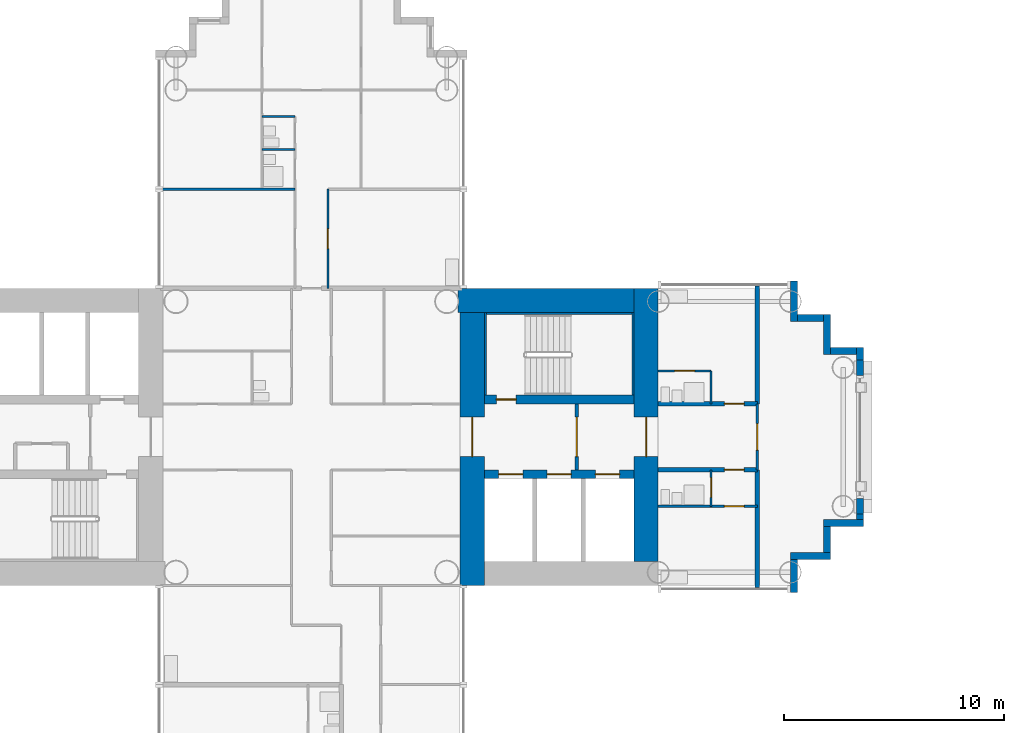
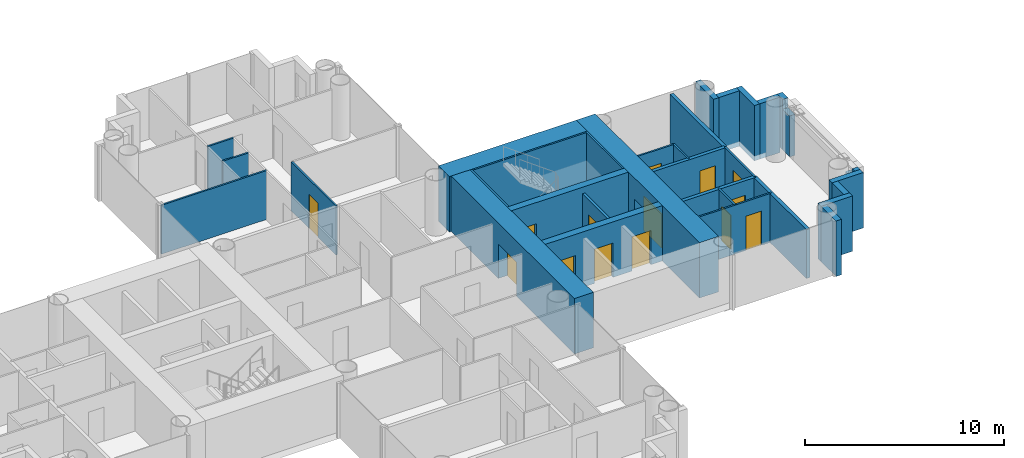
# One storey, part 11 of 22: 34 walls, 14 doors, 14 openings.
"""IFC4 building model written with IfcOpenShell, lengths in metres."""

import ifcopenshell
import ifcopenshell.guid

model = None  # the IFC model being written
_history = None  # IfcOwnerHistory: only IFC2X3 demands one
_inside = {}  # id of a spatial element -> (the spatial element, [elements in it])
_under = {}  # id of a project, library or spatial element -> (it, [spatial elements below it])
_declared = {}  # id of a project -> (the project, [libraries it declares])
_typed = {}  # id of a type object -> (the type object, [elements of that type])
_made_of = {}  # id of a material, layer set ... -> (it, [elements and type objects made of it])


def new_model(schema):
    """Start an empty IFC model of exactly this schema.

    Asked for "IFC4X3", IfcOpenShell would pick the latest addendum, in which some entities
    have other attributes; the version numbers below select the first issue.
    IFC2X3 requires an IfcOwnerHistory on every rooted entity: one is made here for all.
    """
    global model, _history
    if schema == "IFC4X3":
        model = ifcopenshell.file(schema_version=(4, 3, 0, 0))
    else:
        model = ifcopenshell.file(schema=schema)
    _inside.clear()
    _under.clear()
    _declared.clear()
    _typed.clear()
    _made_of.clear()
    _history = None
    if model.schema == "IFC2X3":
        org = make("IfcOrganization", Name="unknown")
        user = make(
            "IfcPersonAndOrganization",
            ThePerson=make("IfcPerson", FamilyName="unknown"),
            TheOrganization=org,
        )
        app = make(
            "IfcApplication",
            ApplicationDeveloper=org,
            Version="unknown",
            ApplicationFullName="unknown",
            ApplicationIdentifier="unknown",
        )
        _history = make(
            "IfcOwnerHistory",
            OwningUser=user,
            OwningApplication=app,
            ChangeAction="ADDED",
            CreationDate=0,
        )
    return model


def make(cls, **values):
    """One entity of the class cls with the attributes given. An attribute that is None is left unset."""
    return model.create_entity(
        cls, **{name: value for name, value in values.items() if value is not None}
    )


def rooted(cls, **values):
    """An entity with a GlobalId (a new one), such as an element, a storey or a relation."""
    return make(cls, GlobalId=ifcopenshell.guid.new(), OwnerHistory=_history, **values)


def si_unit(unit_type, name, prefix=None):
    """IfcSIUnit, for example si_unit("LENGTHUNIT", "METRE", prefix="MILLI")."""
    return make("IfcSIUnit", UnitType=unit_type, Prefix=prefix, Name=name)


def assignment(units):
    """IfcUnitAssignment: the units of a project."""
    return None if units is None else make("IfcUnitAssignment", Units=units)


def point(xyz):
    """IfcCartesianPoint."""
    return None if xyz is None else make("IfcCartesianPoint", Coordinates=xyz)


def direction(xyz):
    """IfcDirection."""
    return None if xyz is None else make("IfcDirection", DirectionRatios=xyz)


def frame(location, z_axis=None, x_axis=None):
    """IfcAxis2Placement3D, a coordinate frame: its origin and axes. An axis left out is left unset."""
    return make(
        "IfcAxis2Placement3D",
        Location=point(location),
        Axis=direction(z_axis),
        RefDirection=direction(x_axis),
    )


def frame_2d(location, x_axis=None):
    """IfcAxis2Placement2D, a coordinate frame in the plane: its origin and x axis."""
    return make(
        "IfcAxis2Placement2D", Location=point(location), RefDirection=direction(x_axis)
    )


def origin():
    """The frame at (0, 0, 0) with its axes left unset."""
    return frame((0.0, 0.0, 0.0))


def place(relative_to, where):
    """IfcLocalPlacement: puts the frame where relative to a parent placement (None: the world)."""
    return make(
        "IfcLocalPlacement", PlacementRelTo=relative_to, RelativePlacement=where
    )


def context(
    kind, dimensions, precision=None, world=None, true_north=None, identifier=None
):
    """IfcGeometricRepresentationContext, for example the 3D "Model" context."""
    return make(
        "IfcGeometricRepresentationContext",
        ContextIdentifier=identifier,
        ContextType=kind,
        CoordinateSpaceDimension=dimensions,
        Precision=precision,
        WorldCoordinateSystem=world,
        TrueNorth=true_north,
    )


def subcontext(parent, identifier, kind, view, scale=None):
    """IfcGeometricRepresentationSubContext, for example "Body" below "Model"."""
    return make(
        "IfcGeometricRepresentationSubContext",
        ContextIdentifier=identifier,
        ContextType=kind,
        ParentContext=parent,
        TargetScale=scale,
        TargetView=view,
    )


def project(units=None, contexts=None):
    """IfcProject with its units and contexts."""
    return rooted(
        "IfcProject",
        Name="project",
        RepresentationContexts=contexts,
        UnitsInContext=assignment(units),
    )


def spatial(cls, under=None, at=None, **own):
    """A site, building, storey or space (cls), placed at a placement, below another one or the project."""
    s = rooted(cls, ObjectPlacement=at, **own)
    if under is not None:
        _under.setdefault(under.id(), (under, []))[1].append(s)
    return s


def profile(cls, at=None, kind="AREA", **sizes):
    """A parametric profile (cls). Its sizes go by their IFC names, for example OverallWidth=200.0."""
    return make(cls, ProfileType=kind, Position=at, **sizes)


def rectangle(**sizes):
    """IfcRectangleProfileDef."""
    return profile("IfcRectangleProfileDef", **sizes)


def extrude(swept, where, along, depth):
    """IfcExtrudedAreaSolid: the profile swept, set in the frame where, extruded along a direction by depth."""
    return make(
        "IfcExtrudedAreaSolid",
        SweptArea=swept,
        Position=where,
        ExtrudedDirection=direction(along),
        Depth=depth,
    )


def shape(context_of_items, identifier, shape_type, items):
    """IfcShapeRepresentation: the items that make up one representation, for example the "Body"."""
    return make(
        "IfcShapeRepresentation",
        ContextOfItems=context_of_items,
        RepresentationIdentifier=identifier,
        RepresentationType=shape_type,
        Items=items,
    )


def material(Name=None, Category=None):
    """IfcMaterial."""
    return make("IfcMaterial", Name=Name, Category=Category)


def layer(
    of_material, thickness, ventilated=None, Name=None, Category=None, Priority=None
):
    """IfcMaterialLayer: one layer of a wall or slab, of a material (None: an air gap)."""
    return make(
        "IfcMaterialLayer",
        Material=of_material,
        LayerThickness=thickness,
        IsVentilated=ventilated,
        Name=Name,
        Category=Category,
        Priority=Priority,
    )


def layer_set(layers, Name=None):
    """IfcMaterialLayerSet."""
    return make("IfcMaterialLayerSet", MaterialLayers=layers, LayerSetName=Name)


def made_of(thing, what):
    """Note that an element or type object is made of a material, layer set ...; save() writes the relation."""
    if what is not None:
        _made_of.setdefault(what.id(), (what, []))[1].append(thing)
    return thing


def type_object(cls, material=None, **own):
    """A type object (cls), such as IfcWallType, which elements share."""
    return made_of(rooted(cls, **own), material)


def element(
    cls,
    number,
    at=None,
    inside=None,
    cuts=None,
    type_object=None,
    material=None,
    context=None,
    identifier="Body",
    shape_type=None,
    held_by="IfcProductDefinitionShape",
    body=None,
    shapes=None,
    **own,
):
    """One element of the class cls, such as IfcWall. Its Tag is "e" and its number.

    at: its placement. inside: the storey or other place that contains it. cuts: it is an
    opening in that element (IfcRelVoidsElement). A single representation is given by context,
    identifier, shape_type and body (its items); several are given by shapes. held_by: the class
    of the entity that holds the representations. save() writes the other relations.
    """
    e = rooted(cls, Tag="e%d" % number, ObjectPlacement=at, **own)
    if body is not None:
        shapes = [shape(context, identifier, shape_type, body)]
    if shapes is not None:
        e.Representation = make(held_by, Representations=shapes)
    if inside is not None:
        _inside.setdefault(inside.id(), (inside, []))[1].append(e)
    if cuts is not None:
        rooted(
            "IfcRelVoidsElement", RelatingBuildingElement=cuts, RelatedOpeningElement=e
        )
    if type_object is not None:
        _typed.setdefault(type_object.id(), (type_object, []))[1].append(e)
    return made_of(e, material)


def fill(opening, filler):
    """IfcRelFillsElement: the door or window that sits in an opening."""
    return rooted(
        "IfcRelFillsElement",
        RelatingOpeningElement=opening,
        RelatedBuildingElement=filler,
    )


def aggregate(whole, parts):
    """IfcRelAggregates: a whole, such as a stair, and the parts it consists of."""
    return rooted("IfcRelAggregates", RelatingObject=whole, RelatedObjects=parts)


def save(model, path):
    """Write the relations noted so far, then the file.

    IfcRelAggregates (storeys below a building ...), IfcRelContainedInSpatialStructure (elements
    in a storey), IfcRelDefinesByType, IfcRelAssociatesMaterial and IfcRelDeclares: one each for
    every whole, place, type object, material and project.
    """
    for whole, parts in _under.values():
        aggregate(whole, parts)
    for where, things in _inside.values():
        rooted(
            "IfcRelContainedInSpatialStructure",
            RelatedElements=things,
            RelatingStructure=where,
        )
    for kind, things in _typed.values():
        rooted("IfcRelDefinesByType", RelatedObjects=things, RelatingType=kind)
    for what, things in _made_of.values():
        rooted("IfcRelAssociatesMaterial", RelatedObjects=things, RelatingMaterial=what)
    for by, libraries in _declared.values():
        rooted("IfcRelDeclares", RelatingContext=by, RelatedDefinitions=libraries)
    model.write(path)


model = new_model("IFC4")

# Units and contexts
model_context = context("Model", 3, precision=1e-05, world=origin(), true_north=direction((0.0, 1.0)))
body_context = subcontext(model_context, "Body", "Model", "MODEL_VIEW")
ifc_project = project(units=[si_unit("LENGTHUNIT", "METRE"), si_unit("AREAUNIT", "SQUARE_METRE"), si_unit("VOLUMEUNIT", "CUBIC_METRE"), si_unit("PLANEANGLEUNIT", "RADIAN"), si_unit("MASSUNIT", "GRAM", prefix="KILO")], contexts=[model_context])

# Site, building, storey
site_placement = place(None, origin())
site = spatial("IfcSite", under=ifc_project, at=site_placement, CompositionType="ELEMENT")
building_placement = place(site_placement, origin())
building = spatial("IfcBuilding", under=site, at=building_placement, Name="Ipe Terrace Towers", CompositionType="ELEMENT")
storey_placement = place(building_placement, frame((0.0, 0.0, 68.699951171875)))
storey = spatial("IfcBuildingStorey", under=building, at=storey_placement, Name="L18", CompositionType="ELEMENT", Elevation=68.699951171875)

# Walls
ifc_material_1 = material(Name="Concrete C40/50 with buff precast cladding", Category="concrete")
ifc_layer_1 = layer(ifc_material_1, 0.320068359375)
ifc_layer_set_1 = layer_set([ifc_layer_1], Name="BUFF CLADDING WALL 320")
wall_type_1 = type_object("IfcWallType", Name="BUFF CLADDING WALL 320", PredefinedType="STANDARD", material=ifc_layer_set_1)
wall_1_placement = place(storey_placement, frame((-14.090087890625, -7.070068359375, -0.300048828125), z_axis=(0.0, 0.0, 1.0), x_axis=(0.0, 1.0, 0.0)))
element("IfcWall", 1, at=wall_1_placement, inside=storey, type_object=wall_type_1, Name="T1-W-L18-21a wall", PredefinedType="STANDARD", context=body_context, shape_type="SweptSolid", body=[
    extrude(rectangle(XDim=1.5, YDim=0.320068359375, at=frame_2d((0.75, 0.0))), origin(), (0.0, 0.0, 1.0), 3.400146484375),
])
wall_2_placement = place(storey_placement, frame((-14.25, -5.409912109375, -0.300048828125), z_axis=(0.0, 0.0, 1.0), x_axis=(1.0, 0.0, 0.0)))
element("IfcWall", 2, at=wall_2_placement, inside=storey, type_object=wall_type_1, Name="T1-W-L18-22a wall", PredefinedType="STANDARD", context=body_context, shape_type="SweptSolid", body=[
    extrude(rectangle(XDim=1.820068359375, YDim=0.320068359375, at=frame_2d((0.91015625, 0.0))), origin(), (0.0, 0.0, 1.0), 3.400146484375),
])
wall_3_placement = place(storey_placement, frame((-12.590087890625, -5.25, -0.300048828125), z_axis=(0.0, 0.0, 1.0), x_axis=(0.0, 1.0, 0.0)))
element("IfcWall", 3, at=wall_3_placement, inside=storey, type_object=wall_type_1, Name="T1-W-L18-23a wall", PredefinedType="STANDARD", context=body_context, shape_type="SweptSolid", body=[
    extrude(rectangle(XDim=1.179931640625, YDim=0.320068359375, at=frame_2d((0.58984375, 0.0))), origin(), (0.0, 0.0, 1.0), 3.400146484375),
])
wall_4_placement = place(storey_placement, frame((-12.75, -3.909912109375, -0.300048828125), z_axis=(0.0, 0.0, 1.0), x_axis=(1.0, 0.0, 0.0)))
element("IfcWall", 4, at=wall_4_placement, inside=storey, type_object=wall_type_1, Name="T1-W-L18-24a wall", PredefinedType="STANDARD", context=body_context, shape_type="SweptSolid", body=[
    extrude(rectangle(XDim=1.820068359375, YDim=0.320068359375, at=frame_2d((0.91015625, 0.0))), origin(), (0.0, 0.0, 1.0), 3.400146484375),
])
wall_5_placement = place(storey_placement, frame((-11.090087890625, -3.75, 0.0), z_axis=(0.0, 0.0, 1.0), x_axis=(0.0, 1.0, 0.0)))
element("IfcWall", 5, at=wall_5_placement, inside=storey, type_object=wall_type_1, Name="T1-W-L18-25a wall", PredefinedType="STANDARD", context=body_context, shape_type="SweptSolid", body=[
    extrude(rectangle(XDim=0.25, YDim=0.320068359375, at=frame_2d((0.125, 0.0))), origin(), (0.0, 0.0, 1.0), 3.10009765625),
])
for number, where, z_axis, x_axis, name in (
    (6, (-11.090087890625, -3.5, 0.0), (0.0, 0.0, 1.0), (0.0, 1.0, 0.0), "T1-W-L18-25b wall"),
    (7, (-11.090087890625, 2.800048828125, 0.0), (0.0, 0.0, 1.0), (0.0, 1.0, 0.0), "T1-W-L18-25e wall"),
):
    element("IfcWall", number, at=place(storey_placement, frame(where, z_axis=z_axis, x_axis=x_axis)), inside=storey, type_object=wall_type_1, Name=name, PredefinedType="STANDARD", context=body_context, shape_type="SweptSolid", body=[
        extrude(rectangle(XDim=0.699951171875, YDim=0.320068359375, at=frame_2d((0.35009765625, 0.0))), origin(), (0.0, 0.0, 1.0), 2.510009765625),
    ])
wall_6_placement = place(storey_placement, frame((-11.090087890625, 3.5, 0.0), z_axis=(0.0, 0.0, 1.0), x_axis=(0.0, 1.0, 0.0)))
element("IfcWall", 8, at=wall_6_placement, inside=storey, type_object=wall_type_1, Name="T1-W-L18-25g wall", PredefinedType="STANDARD", context=body_context, shape_type="SweptSolid", body=[
    extrude(rectangle(XDim=0.570068359375, YDim=0.320068359375, at=frame_2d((0.28515625, 0.0))), origin(), (0.0, 0.0, 1.0), 3.10009765625),
])
wall_7_placement = place(storey_placement, frame((-11.25, 3.909912109375, -0.300048828125), z_axis=(0.0, 0.0, 1.0), x_axis=(-1.0, 0.0, 0.0)))
element("IfcWall", 9, at=wall_7_placement, inside=storey, type_object=wall_type_1, Name="T1-W-L18-26a wall", PredefinedType="STANDARD", context=body_context, shape_type="SweptSolid", body=[
    extrude(rectangle(XDim=1.179931640625, YDim=0.320068359375, at=frame_2d((0.58984375, 0.0))), origin(), (0.0, 0.0, 1.0), 3.400146484375),
])
wall_8_placement = place(storey_placement, frame((-12.590087890625, 3.75, -0.300048828125), z_axis=(0.0, 0.0, 1.0), x_axis=(0.0, 1.0, 0.0)))
element("IfcWall", 10, at=wall_8_placement, inside=storey, type_object=wall_type_1, Name="T1-W-L18-27a wall", PredefinedType="STANDARD", context=body_context, shape_type="SweptSolid", body=[
    extrude(rectangle(XDim=1.820068359375, YDim=0.320068359375, at=frame_2d((0.91015625, 0.0))), origin(), (0.0, 0.0, 1.0), 3.400146484375),
])
wall_9_placement = place(storey_placement, frame((-12.75, 5.409912109375, -0.300048828125), z_axis=(0.0, 0.0, 1.0), x_axis=(-1.0, 0.0, 0.0)))
element("IfcWall", 11, at=wall_9_placement, inside=storey, type_object=wall_type_1, Name="T1-W-L18-28a wall", PredefinedType="STANDARD", context=body_context, shape_type="SweptSolid", body=[
    extrude(rectangle(XDim=1.179931640625, YDim=0.320068359375, at=frame_2d((0.58984375, 0.0))), origin(), (0.0, 0.0, 1.0), 3.400146484375),
])
wall_10_placement = place(storey_placement, frame((-14.090087890625, 5.25, -0.300048828125), z_axis=(0.0, 0.0, 1.0), x_axis=(0.0, 1.0, 0.0)))
element("IfcWall", 12, at=wall_10_placement, inside=storey, type_object=wall_type_1, Name="T1-W-L18-29a wall", PredefinedType="STANDARD", context=body_context, shape_type="SweptSolid", body=[
    extrude(rectangle(XDim=1.820068359375, YDim=0.320068359375, at=frame_2d((0.91015625, 0.0))), origin(), (0.0, 0.0, 1.0), 3.400146484375),
])

# Wall, opening, door
ifc_material_2 = material(Name="Gypsum board partition", Category="plasterboard")
ifc_layer_2 = layer(ifc_material_2, 0.10009765625)
ifc_layer_set_2 = layer_set([ifc_layer_2], Name="Gypsum board partition 100 mm")
wall_type_2 = type_object("IfcWallType", Name="Gypsum board partition 100 mm", PredefinedType="PARTITIONING", material=ifc_layer_set_2)
wall_11_placement = place(storey_placement, frame((-35.25, 6.75, 0.0), z_axis=(0.0, 0.0, 1.0), x_axis=(0.0, 1.0, 0.0)))
wall_11 = element("IfcWall", 13, at=wall_11_placement, inside=storey, type_object=wall_type_2, Name="Gypsum board partition T1 L18 W10", PredefinedType="PARTITIONING", context=body_context, shape_type="SweptSolid", body=[
    extrude(rectangle(XDim=4.5, YDim=0.10009765625, at=frame_2d((2.25, 0.0))), origin(), (0.0, 0.0, 1.0), 3.0),
])
opening_1_placement = place(wall_11_placement, frame((1.800048828125, 0.0, 0.0)))
opening_1 = element("IfcOpeningElement", 14, at=opening_1_placement, cuts=wall_11, Name="Opening T1-Z1F-10", PredefinedType="OPENING", context=body_context, shape_type="SweptSolid", body=[
    extrude(rectangle(XDim=0.89990234375, YDim=2.10009765625, at=frame_2d((0.449951171875, 1.050048828125))), frame((0.0, 0.06005859375, 0.0), z_axis=(0.0, -1.0, 0.0), x_axis=(1.0, 0.0, 0.0)), (0.0, 0.0, 1.0), 0.1201171875),
])
ifc_material_3 = material(Name="Timber door leaf", Category="wood")
door_type_1 = type_object("IfcDoorType", Name="Lounge door 900 x 2100", OperationType="NOTDEFINED", PredefinedType="DOOR", material=ifc_material_3)
door_1_placement = place(opening_1_placement, origin())
door_1 = element("IfcDoor", 15, at=door_1_placement, inside=storey, type_object=door_type_1, Name="Lounge door T1-Z1F-10", OperationType="SINGLE_SWING_RIGHT", OverallHeight=2.10009765625, OverallWidth=0.89990234375, PredefinedType="DOOR", context=body_context, shape_type="SweptSolid", body=[
    extrude(rectangle(XDim=0.89990234375, YDim=2.10009765625, at=frame_2d((0.449951171875, 1.050048828125))), frame((0.0, 0.02490234375, 0.0), z_axis=(0.0, -1.0, 0.0), x_axis=(1.0, 0.0, 0.0)), (0.0, 0.0, 1.0), 0.050048828125),
])
fill(opening_1, door_1)

wall_12_placement = place(storey_placement, frame((-17.85009765625, -3.14990234375, 0.0), z_axis=(0.0, 0.0, 1.0), x_axis=(0.0, 1.0, 0.0)))
wall_12 = element("IfcWall", 16, at=wall_12_placement, inside=storey, type_object=wall_type_2, Name="Gypsum board partition T1 L18 W18", PredefinedType="PARTITIONING", context=body_context, shape_type="SweptSolid", body=[
    extrude(rectangle(XDim=1.64990234375, YDim=0.10009765625, at=frame_2d((0.824951171875, 0.0))), origin(), (0.0, 0.0, 1.0), 3.0),
])
opening_2_placement = place(wall_12_placement, frame((0.39990234375, 0.0, 0.0)))
opening_2 = element("IfcOpeningElement", 17, at=opening_2_placement, cuts=wall_12, Name="Opening T1-Z1F-29", PredefinedType="OPENING", context=body_context, shape_type="SweptSolid", body=[
    extrude(rectangle(XDim=0.89990234375, YDim=2.10009765625, at=frame_2d((0.449951171875, 1.050048828125))), frame((0.0, 0.06005859375, 0.0), z_axis=(0.0, -1.0, 0.0), x_axis=(1.0, 0.0, 0.0)), (0.0, 0.0, 1.0), 0.1201171875),
])
ifc_material_4 = material(Name="Timber door leaf", Category="wood")
door_type_2 = type_object("IfcDoorType", Name="Bathroom door 900 x 2100", OperationType="NOTDEFINED", PredefinedType="DOOR", material=ifc_material_4)
door_2_placement = place(opening_2_placement, origin())
door_2 = element("IfcDoor", 18, at=door_2_placement, inside=storey, type_object=door_type_2, Name="Bathroom door T1-Z1F-29", OperationType="SINGLE_SWING_LEFT", OverallHeight=2.10009765625, OverallWidth=0.89990234375, PredefinedType="DOOR", context=body_context, shape_type="SweptSolid", body=[
    extrude(rectangle(XDim=0.89990234375, YDim=2.10009765625, at=frame_2d((0.449951171875, 1.050048828125))), frame((0.0, 0.02490234375, 0.0), z_axis=(0.0, -1.0, 0.0), x_axis=(1.0, 0.0, 0.0)), (0.0, 0.0, 1.0), 0.050048828125),
])
fill(opening_2, door_2)

# Wall
wall_13_placement = place(storey_placement, frame((-17.85009765625, 1.5, 0.0), z_axis=(0.0, 0.0, 1.0), x_axis=(0.0, 1.0, 0.0)))
element("IfcWall", 19, at=wall_13_placement, inside=storey, type_object=wall_type_2, Name="Gypsum board partition T1 L18 W19", PredefinedType="PARTITIONING", context=body_context, shape_type="SweptSolid", body=[
    extrude(rectangle(XDim=1.5, YDim=0.10009765625, at=frame_2d((0.75, 0.0))), origin(), (0.0, 0.0, 1.0), 3.0),
])

# Wall, opening, door
wall_14_placement = place(storey_placement, frame((-15.75, -1.5, 0.0), z_axis=(0.0, 0.0, 1.0), x_axis=(0.0, 1.0, 0.0)))
wall_14 = element("IfcWall", 20, at=wall_14_placement, inside=storey, type_object=wall_type_2, Name="Gypsum board partition T1 L18 W20", PredefinedType="PARTITIONING", context=body_context, shape_type="SweptSolid", body=[
    extrude(rectangle(XDim=3.0, YDim=0.10009765625, at=frame_2d((1.5, 0.0))), origin(), (0.0, 0.0, 1.0), 3.0),
])
opening_3_placement = place(wall_14_placement, frame((0.89990234375, 0.0, 0.0)))
opening_3 = element("IfcOpeningElement", 21, at=opening_3_placement, cuts=wall_14, Name="Opening T1-Z1F-30", PredefinedType="OPENING", context=body_context, shape_type="SweptSolid", body=[
    extrude(rectangle(XDim=1.199951171875, YDim=2.10009765625, at=frame_2d((0.60009765625, 1.050048828125))), frame((0.0, 0.06005859375, 0.0), z_axis=(0.0, -1.0, 0.0), x_axis=(1.0, 0.0, 0.0)), (0.0, 0.0, 1.0), 0.1201171875),
])
ifc_material_5 = material(Name="Timber door leaf", Category="wood")
door_type_3 = type_object("IfcDoorType", Name="Lounge door 1200 x 2100", OperationType="NOTDEFINED", PredefinedType="DOOR", material=ifc_material_5)
door_3_placement = place(opening_3_placement, origin())
door_3 = element("IfcDoor", 22, at=door_3_placement, inside=storey, type_object=door_type_3, Name="Lounge door T1-Z1F-30", OperationType="SINGLE_SWING_RIGHT", OverallHeight=2.10009765625, OverallWidth=1.199951171875, PredefinedType="DOOR", context=body_context, shape_type="SweptSolid", body=[
    extrude(rectangle(XDim=1.199951171875, YDim=2.10009765625, at=frame_2d((0.60009765625, 1.050048828125))), frame((0.0, 0.02490234375, 0.0), z_axis=(0.0, -1.0, 0.0), x_axis=(1.0, 0.0, 0.0)), (0.0, 0.0, 1.0), 0.050048828125),
])
fill(opening_3, door_3)

wall_15_placement = place(storey_placement, frame((-20.25, -3.14990234375, 0.0), z_axis=(0.0, 0.0, 1.0), x_axis=(1.0, 0.0, 0.0)))
wall_15 = element("IfcWall", 23, at=wall_15_placement, inside=storey, type_object=wall_type_2, Name="Gypsum board partition T1 L18 W32", PredefinedType="PARTITIONING", context=body_context, shape_type="SweptSolid", body=[
    extrude(rectangle(XDim=4.5, YDim=0.10009765625, at=frame_2d((2.25, 0.0))), origin(), (0.0, 0.0, 1.0), 3.0),
])
opening_4_placement = place(wall_15_placement, frame((3.0, 0.0, 0.0)))
opening_4 = element("IfcOpeningElement", 24, at=opening_4_placement, cuts=wall_15, Name="Opening T1-Z1F-28", PredefinedType="OPENING", context=body_context, shape_type="SweptSolid", body=[
    extrude(rectangle(XDim=0.89990234375, YDim=2.10009765625, at=frame_2d((0.449951171875, 1.050048828125))), frame((0.0, 0.06005859375, 0.0), z_axis=(0.0, -1.0, 0.0), x_axis=(1.0, 0.0, 0.0)), (0.0, 0.0, 1.0), 0.1201171875),
])
ifc_material_6 = material(Name="Timber door leaf", Category="wood")
door_type_4 = type_object("IfcDoorType", Name="Bedroom door 900 x 2100", OperationType="NOTDEFINED", PredefinedType="DOOR", material=ifc_material_6)
door_4_placement = place(opening_4_placement, origin())
door_4 = element("IfcDoor", 25, at=door_4_placement, inside=storey, type_object=door_type_4, Name="Bedroom door T1-Z1F-28", OperationType="SINGLE_SWING_RIGHT", OverallHeight=2.10009765625, OverallWidth=0.89990234375, PredefinedType="DOOR", context=body_context, shape_type="SweptSolid", body=[
    extrude(rectangle(XDim=0.89990234375, YDim=2.10009765625, at=frame_2d((0.449951171875, 1.050048828125))), frame((0.0, 0.02490234375, 0.0), z_axis=(0.0, -1.0, 0.0), x_axis=(1.0, 0.0, 0.0)), (0.0, 0.0, 1.0), 0.050048828125),
])
fill(opening_4, door_4)

wall_16_placement = place(storey_placement, frame((-20.25, 3.0, 0.0), z_axis=(0.0, 0.0, 1.0), x_axis=(1.0, 0.0, 0.0)))
wall_16 = element("IfcWall", 26, at=wall_16_placement, inside=storey, type_object=wall_type_2, Name="Gypsum board partition T1 L18 W44", PredefinedType="PARTITIONING", context=body_context, shape_type="SweptSolid", body=[
    extrude(rectangle(XDim=2.39990234375, YDim=0.10009765625, at=frame_2d((1.199951171875, 0.0))), origin(), (0.0, 0.0, 1.0), 3.0),
])
opening_5_placement = place(wall_16_placement, frame((0.75, 0.0, 0.0)))
opening_5 = element("IfcOpeningElement", 27, at=opening_5_placement, cuts=wall_16, Name="Opening T1-Z1F-26", PredefinedType="OPENING", context=body_context, shape_type="SweptSolid", body=[
    extrude(rectangle(XDim=0.89990234375, YDim=2.10009765625, at=frame_2d((0.449951171875, 1.050048828125))), frame((0.0, 0.06005859375, 0.0), z_axis=(0.0, -1.0, 0.0), x_axis=(1.0, 0.0, 0.0)), (0.0, 0.0, 1.0), 0.1201171875),
])
door_5_placement = place(opening_5_placement, origin())
door_5 = element("IfcDoor", 28, at=door_5_placement, inside=storey, type_object=door_type_2, Name="Bathroom door T1-Z1F-26", OperationType="SINGLE_SWING_RIGHT", OverallHeight=2.10009765625, OverallWidth=0.89990234375, PredefinedType="DOOR", context=body_context, shape_type="SweptSolid", body=[
    extrude(rectangle(XDim=0.89990234375, YDim=2.10009765625, at=frame_2d((0.449951171875, 1.050048828125))), frame((0.0, 0.02490234375, 0.0), z_axis=(0.0, -1.0, 0.0), x_axis=(1.0, 0.0, 0.0)), (0.0, 0.0, 1.0), 0.050048828125),
])
fill(opening_5, door_5)

# Walls
wall_17_placement = place(storey_placement, frame((-42.85009765625, 11.25, 0.0), z_axis=(0.0, 0.0, 1.0), x_axis=(1.0, 0.0, 0.0)))
element("IfcWall", 29, at=wall_17_placement, inside=storey, type_object=wall_type_2, Name="Gypsum board partition T1 L18 W48", PredefinedType="PARTITIONING", context=body_context, shape_type="SweptSolid", body=[
    extrude(rectangle(XDim=6.10009765625, YDim=0.10009765625, at=frame_2d((3.050048828125, 0.0))), origin(), (0.0, 0.0, 1.0), 3.0),
])
for number, where, z_axis, x_axis, name in (
    (30, (-38.25, 13.050048828125, 0.0), (0.0, 0.0, 1.0), (1.0, 0.0, 0.0), "Gypsum board partition T1 L18 W50"),
    (31, (-38.25, 14.550048828125, 0.0), (0.0, 0.0, 1.0), (1.0, 0.0, 0.0), "Gypsum board partition T1 L18 W51"),
):
    element("IfcWall", number, at=place(storey_placement, frame(where, z_axis=z_axis, x_axis=x_axis)), inside=storey, type_object=wall_type_2, Name=name, PredefinedType="PARTITIONING", context=body_context, shape_type="SweptSolid", body=[
        extrude(rectangle(XDim=1.5, YDim=0.10009765625, at=frame_2d((0.75, 0.0))), origin(), (0.0, 0.0, 1.0), 3.0),
    ])

# Wall, opening, door
ifc_material_7 = material(Name="Gypsum board partition", Category="plasterboard")
ifc_layer_3 = layer(ifc_material_7, 0.14990234375)
ifc_layer_set_3 = layer_set([ifc_layer_3], Name="Gypsum board partition 150 mm")
wall_type_3 = type_object("IfcWallType", Name="Gypsum board partition 150 mm", PredefinedType="PARTITIONING", material=ifc_layer_set_3)
wall_18_placement = place(storey_placement, frame((-23.949951171875, -1.5, 0.0), z_axis=(0.0, 0.0, 1.0), x_axis=(0.0, 1.0, 0.0)))
wall_18 = element("IfcWall", 32, at=wall_18_placement, inside=storey, type_object=wall_type_3, Name="Gypsum board partition T1 L18 t1c1-lobby-wall", PredefinedType="PARTITIONING", context=body_context, shape_type="SweptSolid", body=[
    extrude(rectangle(XDim=3.0, YDim=0.14990234375, at=frame_2d((1.5, 0.0))), origin(), (0.0, 0.0, 1.0), 3.0),
])
opening_6_placement = place(wall_18_placement, frame((0.60009765625, 0.0, 0.0)))
opening_6 = element("IfcOpeningElement", 33, at=opening_6_placement, cuts=wall_18, Name="Opening T1C1-VD", PredefinedType="OPENING", context=body_context, shape_type="SweptSolid", body=[
    extrude(rectangle(XDim=1.800048828125, YDim=2.10009765625, at=frame_2d((0.89990234375, 1.050048828125))), frame((0.0, 0.0849609375, 0.0), z_axis=(0.0, -1.0, 0.0), x_axis=(1.0, 0.0, 0.0)), (0.0, 0.0, 1.0), 0.169921875),
])
ifc_material_8 = material(Name="Fire-rated timber door leaf", Category="wood")
door_type_5 = type_object("IfcDoorType", Name="Lobby door 1800 x 2100 FD60", OperationType="NOTDEFINED", PredefinedType="DOOR", material=ifc_material_8)
door_6_placement = place(opening_6_placement, origin())
door_6 = element("IfcDoor", 34, at=door_6_placement, inside=storey, type_object=door_type_5, Name="Lobby door T1C1-VD", OperationType="SINGLE_SWING_LEFT", OverallHeight=2.10009765625, OverallWidth=1.800048828125, PredefinedType="DOOR", context=body_context, shape_type="SweptSolid", body=[
    extrude(rectangle(XDim=1.800048828125, YDim=2.10009765625, at=frame_2d((0.89990234375, 1.050048828125))), frame((0.0, 0.02490234375, 0.0), z_axis=(0.0, -1.0, 0.0), x_axis=(1.0, 0.0, 0.0)), (0.0, 0.0, 1.0), 0.050048828125),
])
fill(opening_6, door_6)

# Walls
ifc_material_9 = material(Name="Gypsum board party wall", Category="plasterboard")
ifc_layer_4 = layer(ifc_material_9, 0.199951171875)
ifc_layer_set_4 = layer_set([ifc_layer_4], Name="Gypsum board party wall 200 mm")
wall_type_4 = type_object("IfcWallType", Name="Gypsum board party wall 200 mm", PredefinedType="SOLIDWALL", material=ifc_layer_set_4)
for number, where, z_axis, x_axis, name in (
    (35, (-15.75, -6.85009765625, 0.0), (0.0, 0.0, 1.0), (0.0, 1.0, 0.0), "Gypsum board party wall T1 L18 W21"),
    (36, (-15.75, 1.5, 0.0), (0.0, 0.0, 1.0), (0.0, 1.0, 0.0), "Gypsum board party wall T1 L18 W22"),
):
    element("IfcWall", number, at=place(storey_placement, frame(where, z_axis=z_axis, x_axis=x_axis)), inside=storey, type_object=wall_type_4, Name=name, PredefinedType="SOLIDWALL", context=body_context, shape_type="SweptSolid", body=[
        extrude(rectangle(XDim=5.35009765625, YDim=0.199951171875, at=frame_2d((2.675048828125, 0.0))), origin(), (0.0, 0.0, 1.0), 3.0),
    ])

# Wall, opening, door
wall_19_placement = place(storey_placement, frame((-20.25, -1.5, 0.0), z_axis=(0.0, 0.0, 1.0), x_axis=(1.0, 0.0, 0.0)))
wall_19 = element("IfcWall", 37, at=wall_19_placement, inside=storey, type_object=wall_type_4, Name="Gypsum board party wall T1 L18 W37", PredefinedType="SOLIDWALL", context=body_context, shape_type="SweptSolid", body=[
    extrude(rectangle(XDim=4.5, YDim=0.199951171875, at=frame_2d((2.25, 0.0))), origin(), (0.0, 0.0, 1.0), 3.0),
])
opening_7_placement = place(wall_19_placement, frame((3.0, 0.0, 0.0)))
opening_7 = element("IfcOpeningElement", 38, at=opening_7_placement, cuts=wall_19, Name="Opening T1-Z1F-27", PredefinedType="OPENING", context=body_context, shape_type="SweptSolid", body=[
    extrude(rectangle(XDim=0.89990234375, YDim=2.10009765625, at=frame_2d((0.449951171875, 1.050048828125))), frame((0.0, 0.10986328125, 0.0), z_axis=(0.0, -1.0, 0.0), x_axis=(1.0, 0.0, 0.0)), (0.0, 0.0, 1.0), 0.219970703125),
])
ifc_material_10 = material(Name="Fire-rated timber door leaf", Category="wood")
door_type_6 = type_object("IfcDoorType", Name="Flat entrance door 900 x 2100 FD30S", OperationType="NOTDEFINED", PredefinedType="DOOR", material=ifc_material_10)
door_7_placement = place(opening_7_placement, origin())
door_7 = element("IfcDoor", 39, at=door_7_placement, inside=storey, type_object=door_type_6, Name="Flat entrance door T1-Z1F-27", OperationType="SINGLE_SWING_RIGHT", OverallHeight=2.10009765625, OverallWidth=0.89990234375, PredefinedType="DOOR", context=body_context, shape_type="SweptSolid", body=[
    extrude(rectangle(XDim=0.89990234375, YDim=2.10009765625, at=frame_2d((0.449951171875, 1.050048828125))), frame((0.0, 0.02490234375, 0.0), z_axis=(0.0, -1.0, 0.0), x_axis=(1.0, 0.0, 0.0)), (0.0, 0.0, 1.0), 0.050048828125),
])
fill(opening_7, door_7)

wall_20_placement = place(storey_placement, frame((-20.25, 1.5, 0.0), z_axis=(0.0, 0.0, 1.0), x_axis=(1.0, 0.0, 0.0)))
wall_20 = element("IfcWall", 40, at=wall_20_placement, inside=storey, type_object=wall_type_4, Name="Gypsum board party wall T1 L18 W42", PredefinedType="SOLIDWALL", context=body_context, shape_type="SweptSolid", body=[
    extrude(rectangle(XDim=4.5, YDim=0.199951171875, at=frame_2d((2.25, 0.0))), origin(), (0.0, 0.0, 1.0), 3.0),
])
opening_8_placement = place(wall_20_placement, frame((3.0, 0.0, 0.0)))
opening_8 = element("IfcOpeningElement", 41, at=opening_8_placement, cuts=wall_20, Name="Opening T1-Z1F-25", PredefinedType="OPENING", context=body_context, shape_type="SweptSolid", body=[
    extrude(rectangle(XDim=0.89990234375, YDim=2.10009765625, at=frame_2d((0.449951171875, 1.050048828125))), frame((0.0, 0.10986328125, 0.0), z_axis=(0.0, -1.0, 0.0), x_axis=(1.0, 0.0, 0.0)), (0.0, 0.0, 1.0), 0.219970703125),
])
door_8_placement = place(opening_8_placement, origin())
door_8 = element("IfcDoor", 42, at=door_8_placement, inside=storey, type_object=door_type_6, Name="Flat entrance door T1-Z1F-25", OperationType="SINGLE_SWING_LEFT", OverallHeight=2.10009765625, OverallWidth=0.89990234375, PredefinedType="DOOR", context=body_context, shape_type="SweptSolid", body=[
    extrude(rectangle(XDim=0.89990234375, YDim=2.10009765625, at=frame_2d((0.449951171875, 1.050048828125))), frame((0.0, 0.02490234375, 0.0), z_axis=(0.0, -1.0, 0.0), x_axis=(1.0, 0.0, 0.0)), (0.0, 0.0, 1.0), 0.050048828125),
])
fill(opening_8, door_8)

# Walls
ifc_material_11 = material(Name="Concrete C60/75", Category="concrete")
ifc_layer_5 = layer(ifc_material_11, 0.10009765625)
ifc_layer_set_5 = layer_set([ifc_layer_5], Name="RW100 CORE INFILL WALL 100 C60-75")
wall_type_5 = type_object("IfcWallType", Name="RW100 CORE INFILL WALL 100 C60-75", PredefinedType="SHEAR", material=ifc_layer_set_5)
wall_21_placement = place(storey_placement, frame((-21.39990234375, 1.89990234375, 0.0), z_axis=(0.0, 0.0, 1.0), x_axis=(0.0, 1.0, 0.0)))
element("IfcWall", 43, at=wall_21_placement, inside=storey, type_object=wall_type_5, Name="Core infill wall T1-C1-far", PredefinedType="SHEAR", context=body_context, shape_type="SweptSolid", body=[
    extrude(rectangle(XDim=3.75, YDim=0.10009765625, at=frame_2d((1.875, 0.0))), origin(), (0.0, 0.0, 1.0), 3.400146484375),
])
wall_22_placement = place(storey_placement, frame((-28.050048828125, 5.60009765625, 0.0), z_axis=(0.0, 0.0, 1.0), x_axis=(1.0, 0.0, 0.0)))
element("IfcWall", 44, at=wall_22_placement, inside=storey, type_object=wall_type_5, Name="Core infill wall T1-C1-back", PredefinedType="SHEAR", context=body_context, shape_type="SweptSolid", body=[
    extrude(rectangle(XDim=6.60009765625, YDim=0.10009765625, at=frame_2d((3.300048828125, 0.0))), origin(), (0.0, 0.0, 1.0), 3.400146484375),
])
wall_23_placement = place(storey_placement, frame((-28.10009765625, 1.89990234375, 0.0), z_axis=(0.0, 0.0, 1.0), x_axis=(0.0, 1.0, 0.0)))
element("IfcWall", 45, at=wall_23_placement, inside=storey, type_object=wall_type_5, Name="Core infill wall T1-C1-near", PredefinedType="SHEAR", context=body_context, shape_type="SweptSolid", body=[
    extrude(rectangle(XDim=3.75, YDim=0.10009765625, at=frame_2d((1.875, 0.0))), origin(), (0.0, 0.0, 1.0), 3.400146484375),
])

# Wall, opening, door
ifc_material_12 = material(Name="Concrete C60/75", Category="concrete")
ifc_layer_6 = layer(ifc_material_12, 1.10009765625)
ifc_layer_set_6 = layer_set([ifc_layer_6], Name="RW1100 CORE WALL 1100 C60-75")
wall_type_6 = type_object("IfcWallType", Name="RW1100 CORE WALL 1100 C60-75", PredefinedType="SHEAR", material=ifc_layer_set_6)
wall_24_placement = place(storey_placement, frame((-20.800048828125, -5.64990234375, 0.0), z_axis=(0.0, 0.0, 1.0), x_axis=(0.0, 1.0, 0.0)))
wall_24 = element("IfcWall", 46, at=wall_24_placement, inside=storey, type_object=wall_type_6, Name="Core wall T1-C1-Z1-W02", PredefinedType="SHEAR", context=body_context, shape_type="SweptSolid", body=[
    extrude(rectangle(XDim=12.39990234375, YDim=1.10009765625, at=frame_2d((6.199951171875, 0.0))), origin(), (0.0, 0.0, 1.0), 3.400146484375),
])
opening_9_placement = place(wall_24_placement, frame((4.75, 0.0, 0.0)))
opening_9 = element("IfcOpeningElement", 47, at=opening_9_placement, cuts=wall_24, Name="Opening T1C1-FD", PredefinedType="OPENING", context=body_context, shape_type="SweptSolid", body=[
    extrude(rectangle(XDim=1.800048828125, YDim=2.10009765625, at=frame_2d((0.89990234375, 1.050048828125))), frame((0.0, 0.56005859375, 0.0), z_axis=(0.0, -1.0, 0.0), x_axis=(1.0, 0.0, 0.0)), (0.0, 0.0, 1.0), 1.1201171875),
])
ifc_material_13 = material(Name="Fire-rated timber door leaf", Category="wood")
door_type_7 = type_object("IfcDoorType", Name="Fire door 1800 x 2100 FD30S", OperationType="NOTDEFINED", PredefinedType="DOOR", material=ifc_material_13)
door_9_placement = place(opening_9_placement, origin())
door_9 = element("IfcDoor", 48, at=door_9_placement, inside=storey, type_object=door_type_7, Name="Fire door T1C1-FD", OperationType="SINGLE_SWING_LEFT", OverallHeight=2.10009765625, OverallWidth=1.800048828125, PredefinedType="DOOR", context=body_context, shape_type="SweptSolid", body=[
    extrude(rectangle(XDim=1.800048828125, YDim=2.10009765625, at=frame_2d((0.89990234375, 1.050048828125))), frame((0.0, 0.02490234375, 0.0), z_axis=(0.0, -1.0, 0.0), x_axis=(1.0, 0.0, 0.0)), (0.0, 0.0, 1.0), 0.050048828125),
])
fill(opening_9, door_9)

# Wall
wall_25_placement = place(storey_placement, frame((-21.35009765625, 6.199951171875, 0.0), z_axis=(0.0, 0.0, 1.0), x_axis=(-1.0, 0.0, 0.0)))
element("IfcWall", 49, at=wall_25_placement, inside=storey, type_object=wall_type_6, Name="Core wall T1-C1-Z1-W03", PredefinedType="SHEAR", context=body_context, shape_type="SweptSolid", body=[
    extrude(rectangle(XDim=7.997802734375, YDim=1.10009765625, at=frame_2d((3.9990234375, 0.0))), origin(), (0.0, 0.0, 1.0), 3.400146484375),
])

# Wall, opening, door
wall_26_placement = place(storey_placement, frame((-28.699951171875, 5.64990234375, 0.0), z_axis=(0.0, 0.0, 1.0), x_axis=(0.0, -1.0, 0.0)))
wall_26 = element("IfcWall", 50, at=wall_26_placement, inside=storey, type_object=wall_type_6, Name="Core wall T1-C1-Z1-W04", PredefinedType="SHEAR", context=body_context, shape_type="SweptSolid", body=[
    extrude(rectangle(XDim=12.39990234375, YDim=1.10009765625, at=frame_2d((6.199951171875, 0.0))), origin(), (0.0, 0.0, 1.0), 3.400146484375),
])
opening_10_placement = place(wall_26_placement, frame((4.75, 0.0, 0.0)))
opening_10 = element("IfcOpeningElement", 51, at=opening_10_placement, cuts=wall_26, Name="Opening T1C1-ND", PredefinedType="OPENING", context=body_context, shape_type="SweptSolid", body=[
    extrude(rectangle(XDim=1.800048828125, YDim=2.10009765625, at=frame_2d((0.89990234375, 1.050048828125))), frame((0.0, 0.56005859375, 0.0), z_axis=(0.0, -1.0, 0.0), x_axis=(1.0, 0.0, 0.0)), (0.0, 0.0, 1.0), 1.1201171875),
])
door_10_placement = place(opening_10_placement, origin())
door_10 = element("IfcDoor", 52, at=door_10_placement, inside=storey, type_object=door_type_7, Name="Fire door T1C1-ND", OperationType="SINGLE_SWING_LEFT", OverallHeight=2.10009765625, OverallWidth=1.800048828125, PredefinedType="DOOR", context=body_context, shape_type="SweptSolid", body=[
    extrude(rectangle(XDim=1.800048828125, YDim=2.10009765625, at=frame_2d((0.89990234375, 1.050048828125))), frame((0.0, 0.02490234375, 0.0), z_axis=(0.0, -1.0, 0.0), x_axis=(1.0, 0.0, 0.0)), (0.0, 0.0, 1.0), 0.050048828125),
])
fill(opening_10, door_10)

# Wall, openings, doors
ifc_material_14 = material(Name="Concrete C60/75", Category="concrete")
ifc_layer_7 = layer(ifc_material_14, 0.39990234375)
ifc_layer_set_7 = layer_set([ifc_layer_7], Name="RW400 CORE SPINE WALL 400 C60-75")
wall_type_7 = type_object("IfcWallType", Name="RW400 CORE SPINE WALL 400 C60-75", PredefinedType="SHEAR", material=ifc_layer_set_7)
wall_27_placement = place(storey_placement, frame((-28.14990234375, -1.699951171875, 0.0), z_axis=(0.0, 0.0, 1.0), x_axis=(1.0, 0.0, 0.0)))
wall_27 = element("IfcWall", 53, at=wall_27_placement, inside=storey, type_object=wall_type_7, Name="Core spine wall T1-C1-Z1-SW1", PredefinedType="SHEAR", context=body_context, shape_type="SweptSolid", body=[
    extrude(rectangle(XDim=6.7998046875, YDim=0.39990234375, at=frame_2d((3.39990234375, 0.0))), origin(), (0.0, 0.0, 1.0), 3.400146484375),
])
opening_11_placement = place(wall_27_placement, frame((0.64990234375, 0.0, 0.0)))
opening_11 = element("IfcOpeningElement", 54, at=opening_11_placement, cuts=wall_27, Name="Opening T1C1-LD1", PredefinedType="OPENING", context=body_context, shape_type="SweptSolid", body=[
    extrude(rectangle(XDim=1.10009765625, YDim=2.10009765625, at=frame_2d((0.550048828125, 1.050048828125))), frame((0.0, 0.2099609375, 0.0), z_axis=(0.0, -1.0, 0.0), x_axis=(1.0, 0.0, 0.0)), (0.0, 0.0, 1.0), 0.419921875),
])
opening_12_placement = place(wall_27_placement, frame((2.85009765625, 0.0, 0.0)))
opening_12 = element("IfcOpeningElement", 55, at=opening_12_placement, cuts=wall_27, Name="Opening T1C1-LD2", PredefinedType="OPENING", context=body_context, shape_type="SweptSolid", body=[
    extrude(rectangle(XDim=1.10009765625, YDim=2.10009765625, at=frame_2d((0.550048828125, 1.050048828125))), frame((0.0, 0.2099609375, 0.0), z_axis=(0.0, -1.0, 0.0), x_axis=(1.0, 0.0, 0.0)), (0.0, 0.0, 1.0), 0.419921875),
])
opening_13_placement = place(wall_27_placement, frame((5.050048828125, 0.0, 0.0)))
opening_13 = element("IfcOpeningElement", 56, at=opening_13_placement, cuts=wall_27, Name="Opening T1C1-LD3", PredefinedType="OPENING", context=body_context, shape_type="SweptSolid", body=[
    extrude(rectangle(XDim=1.10009765625, YDim=2.10009765625, at=frame_2d((0.550048828125, 1.050048828125))), frame((0.0, 0.2099609375, 0.0), z_axis=(0.0, -1.0, 0.0), x_axis=(1.0, 0.0, 0.0)), (0.0, 0.0, 1.0), 0.419921875),
])
ifc_material_15 = material(Name="Fire-rated timber door leaf", Category="wood")
door_type_8 = type_object("IfcDoorType", Name="Sliding door 1100 x 2100 FD60", OperationType="SLIDING_TO_LEFT", PredefinedType="DOOR", material=ifc_material_15)
door_11_placement = place(opening_11_placement, origin())
door_11 = element("IfcDoor", 57, at=door_11_placement, inside=storey, type_object=door_type_8, Name="Sliding door T1C1-LD1", OperationType="SLIDING_TO_LEFT", OverallHeight=2.10009765625, OverallWidth=1.10009765625, PredefinedType="DOOR", context=body_context, shape_type="SweptSolid", body=[
    extrude(rectangle(XDim=1.10009765625, YDim=2.10009765625, at=frame_2d((0.550048828125, 1.050048828125))), frame((0.0, 0.02490234375, 0.0), z_axis=(0.0, -1.0, 0.0), x_axis=(1.0, 0.0, 0.0)), (0.0, 0.0, 1.0), 0.050048828125),
])
fill(opening_11, door_11)
door_12_placement = place(opening_12_placement, origin())
door_12 = element("IfcDoor", 58, at=door_12_placement, inside=storey, type_object=door_type_8, Name="Sliding door T1C1-LD2", OperationType="SLIDING_TO_LEFT", OverallHeight=2.10009765625, OverallWidth=1.10009765625, PredefinedType="DOOR", context=body_context, shape_type="SweptSolid", body=[
    extrude(rectangle(XDim=1.10009765625, YDim=2.10009765625, at=frame_2d((0.550048828125, 1.050048828125))), frame((0.0, 0.02490234375, 0.0), z_axis=(0.0, -1.0, 0.0), x_axis=(1.0, 0.0, 0.0)), (0.0, 0.0, 1.0), 0.050048828125),
])
fill(opening_12, door_12)
door_13_placement = place(opening_13_placement, origin())
door_13 = element("IfcDoor", 59, at=door_13_placement, inside=storey, type_object=door_type_8, Name="Sliding door T1C1-LD3", OperationType="SLIDING_TO_LEFT", OverallHeight=2.10009765625, OverallWidth=1.10009765625, PredefinedType="DOOR", context=body_context, shape_type="SweptSolid", body=[
    extrude(rectangle(XDim=1.10009765625, YDim=2.10009765625, at=frame_2d((0.550048828125, 1.050048828125))), frame((0.0, 0.02490234375, 0.0), z_axis=(0.0, -1.0, 0.0), x_axis=(1.0, 0.0, 0.0)), (0.0, 0.0, 1.0), 0.050048828125),
])
fill(opening_13, door_13)

# Wall, opening, door
wall_28_placement = place(storey_placement, frame((-28.14990234375, 1.699951171875, 0.0), z_axis=(0.0, 0.0, 1.0), x_axis=(1.0, 0.0, 0.0)))
wall_28 = element("IfcWall", 60, at=wall_28_placement, inside=storey, type_object=wall_type_7, Name="Core spine wall T1-C1-Z1-SW2", PredefinedType="SHEAR", context=body_context, shape_type="SweptSolid", body=[
    extrude(rectangle(XDim=6.7998046875, YDim=0.39990234375, at=frame_2d((3.39990234375, 0.0))), origin(), (0.0, 0.0, 1.0), 3.400146484375),
])
opening_14_placement = place(wall_28_placement, frame((0.550048828125, 0.0, 0.0)))
opening_14 = element("IfcOpeningElement", 61, at=opening_14_placement, cuts=wall_28, Name="Opening T1C1-SD", PredefinedType="OPENING", context=body_context, shape_type="SweptSolid", body=[
    extrude(rectangle(XDim=0.89990234375, YDim=2.10009765625, at=frame_2d((0.449951171875, 1.050048828125))), frame((0.0, 0.2099609375, 0.0), z_axis=(0.0, -1.0, 0.0), x_axis=(1.0, 0.0, 0.0)), (0.0, 0.0, 1.0), 0.419921875),
])
ifc_material_16 = material(Name="Fire-rated timber door leaf", Category="wood")
door_type_9 = type_object("IfcDoorType", Name="Stair door 900 x 2100 FD60", OperationType="NOTDEFINED", PredefinedType="DOOR", material=ifc_material_16)
door_14_placement = place(opening_14_placement, origin())
door_14 = element("IfcDoor", 62, at=door_14_placement, inside=storey, type_object=door_type_9, Name="Stair door T1C1-SD", OperationType="SINGLE_SWING_LEFT", OverallHeight=2.10009765625, OverallWidth=0.89990234375, PredefinedType="DOOR", context=body_context, shape_type="SweptSolid", body=[
    extrude(rectangle(XDim=0.89990234375, YDim=2.10009765625, at=frame_2d((0.449951171875, 1.050048828125))), frame((0.0, 0.02490234375, 0.0), z_axis=(0.0, -1.0, 0.0), x_axis=(1.0, 0.0, 0.0)), (0.0, 0.0, 1.0), 0.050048828125),
])
fill(opening_14, door_14)

save(model, "model.ifc")
